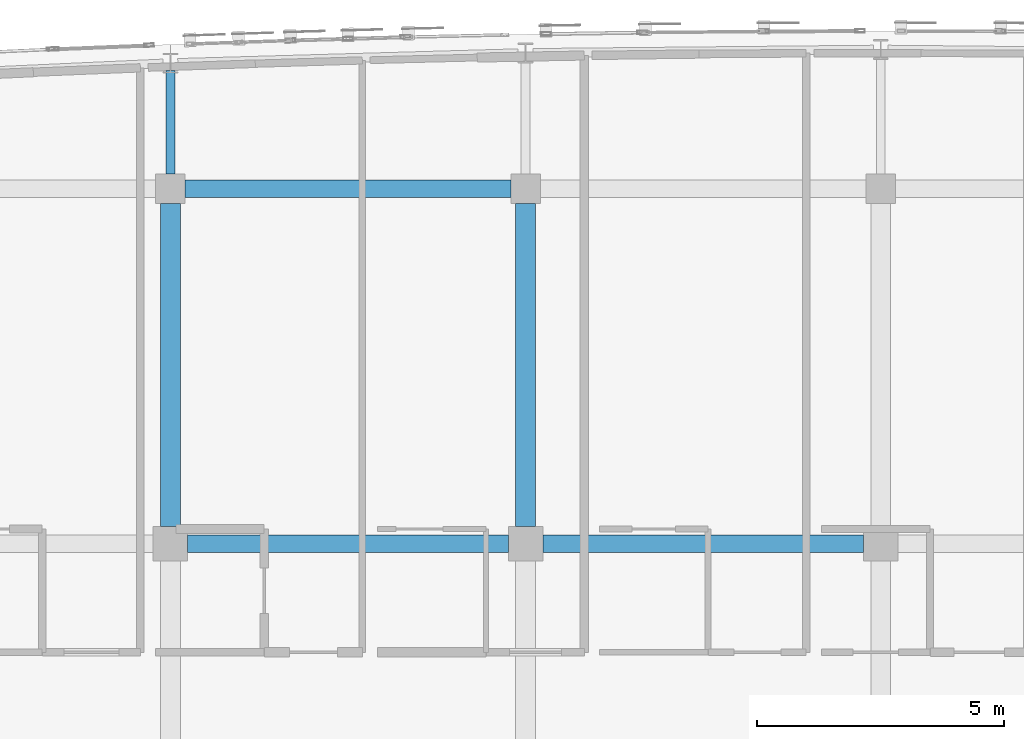
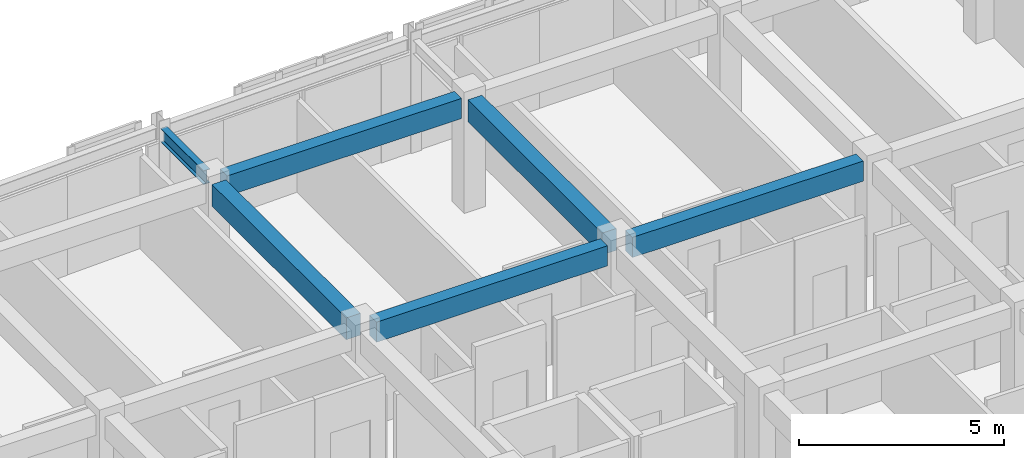
# One storey, part 15 of 50: 6 beams.
"""IFC4 building model written with IfcOpenShell, lengths in metres."""

from ifc_helpers import new_model, si_unit, direction, frame, origin, origin_2d, place, context, subcontext, project, spatial, rectangle, i_section, extrude, material, material_profile, profile_set, type_object, element, save


model = new_model("IFC4")

# Units and contexts
model_context = context("Model", 3, precision=1e-05, world=origin(), true_north=direction((0.0, 1.0)))
body_context = subcontext(model_context, "Body", "Model", "MODEL_VIEW")
ifc_project = project(units=[si_unit("LENGTHUNIT", "METRE"), si_unit("AREAUNIT", "SQUARE_METRE"), si_unit("VOLUMEUNIT", "CUBIC_METRE"), si_unit("PLANEANGLEUNIT", "RADIAN"), si_unit("MASSUNIT", "GRAM", prefix="KILO")], contexts=[model_context])

# Site, building, storey
site_placement = place(None, origin())
site = spatial("IfcSite", under=ifc_project, at=site_placement, CompositionType="ELEMENT")
building_placement = place(site_placement, origin())
building = spatial("IfcBuilding", under=site, at=building_placement, Name="Carrowvane Square Congress Hotel", CompositionType="ELEMENT")
storey_placement = place(building_placement, frame((0.0, 0.0, 22.800048828125)))
storey = spatial("IfcBuildingStorey", under=building, at=storey_placement, Name="L05", CompositionType="ELEMENT", Elevation=22.800048828125)

# Beams
ifc_material_1 = material(Name="Concrete C35/45", Category="concrete")
ifc_material_profile_1 = material_profile(ifc_material_1, rectangle(XDim=0.35009765625, YDim=0.60009765625, at=origin_2d()), Name="RC 350x600")
ifc_profile_set_1 = profile_set([ifc_material_profile_1], Name="Concrete C35/45")
beam_type_1 = type_object("IfcBeamType", Name="BM-RC-350x600", PredefinedType="BEAM", material=ifc_profile_set_1)
for number, where, z_axis, x_axis, name in (
    (1, (83.949951171875, 106.199951171875, 3.050048828125), (1.0, 0.0, 0.0), (0.0, 1.0, 0.0), "L06 girder Q/11-12"),
    (2, (91.14990234375, 106.199951171875, 3.050048828125), (1.0, 0.0, 0.0), (0.0, 1.0, 0.0), "L06 girder Q/12-13"),
):
    element("IfcBeam", number, at=place(storey_placement, frame(where, z_axis=z_axis, x_axis=x_axis)), inside=storey, type_object=beam_type_1, Name=name, PredefinedType="BEAM", context=body_context, shape_type="SweptSolid", body=[
        extrude(rectangle(XDim=0.35009765625, YDim=0.60009765625, at=origin_2d()), origin(), (0.0, 0.0, 1.0), 6.5),
    ])
beam_1_placement = place(storey_placement, frame((83.89990234375, 113.39990234375, 3.050048828125), z_axis=(1.0, 0.0, 0.0), x_axis=(0.0, 1.0, 0.0)))
element("IfcBeam", 3, at=beam_1_placement, inside=storey, type_object=beam_type_1, Name="L06 girder R/11-12", PredefinedType="BEAM", context=body_context, shape_type="SweptSolid", body=[
    extrude(rectangle(XDim=0.35009765625, YDim=0.60009765625, at=origin_2d()), origin(), (0.0, 0.0, 1.0), 6.60009765625),
])
ifc_material_2 = material(Name="Concrete C35/45", Category="concrete")
ifc_material_profile_2 = material_profile(ifc_material_2, rectangle(XDim=0.39990234375, YDim=0.64990234375, at=origin_2d()), Name="RC 400x650")
ifc_profile_set_2 = profile_set([ifc_material_profile_2], Name="Concrete C35/45")
beam_type_2 = type_object("IfcBeamType", Name="BM-RC-400x650", PredefinedType="BEAM", material=ifc_profile_set_2)
for number, where, z_axis, x_axis, name in (
    (4, (83.60009765625, 106.550048828125, 3.02490234375), (0.0, 1.0, 0.0), (-1.0, 0.0, 0.0), "L06 girder 11/Q-R"),
    (5, (90.800048828125, 106.550048828125, 3.02490234375), (0.0, 1.0, 0.0), (-1.0, 0.0, 0.0), "L06 girder 12/Q-R"),
):
    element("IfcBeam", number, at=place(storey_placement, frame(where, z_axis=z_axis, x_axis=x_axis)), inside=storey, type_object=beam_type_2, Name=name, PredefinedType="BEAM", context=body_context, shape_type="SweptSolid", body=[
        extrude(rectangle(XDim=0.39990234375, YDim=0.64990234375, at=origin_2d()), origin(), (0.0, 0.0, 1.0), 6.550048828125),
    ])
ifc_material_3 = material(Name="Steel S355", Category="steel")
ifc_material_profile_3 = material_profile(ifc_material_3, i_section(OverallWidth=0.1787109375, OverallDepth=0.409423828125, WebThickness=0.0087890625, FlangeThickness=0.014404296875, FilletRadius=0.01025390625, at=origin_2d()), Name="UKB 406x178x67")
ifc_profile_set_3 = profile_set([ifc_material_profile_3], Name="Steel S355")
beam_type_3 = type_object("IfcBeamType", Name="BM-ST-UKB406", PredefinedType="BEAM", material=ifc_profile_set_3)
beam_2_placement = place(storey_placement, frame((83.60009765625, 113.699951171875, 3.145263671875), z_axis=(0.0, 1.0, 0.0), x_axis=(-1.0, 0.0, 0.0)))
element("IfcBeam", 6, at=beam_2_placement, inside=storey, type_object=beam_type_3, Name="L06 radial north beam 11", PredefinedType="BEAM", context=body_context, shape_type="SweptSolid", body=[
    extrude(i_section(OverallWidth=0.1787109375, OverallDepth=0.409423828125, WebThickness=0.0087890625, FlangeThickness=0.014404296875, FilletRadius=0.01025390625, at=origin_2d()), origin(), (0.0, 0.0, 1.0), 2.093994140625),
])

save(model, "model.ifc")
